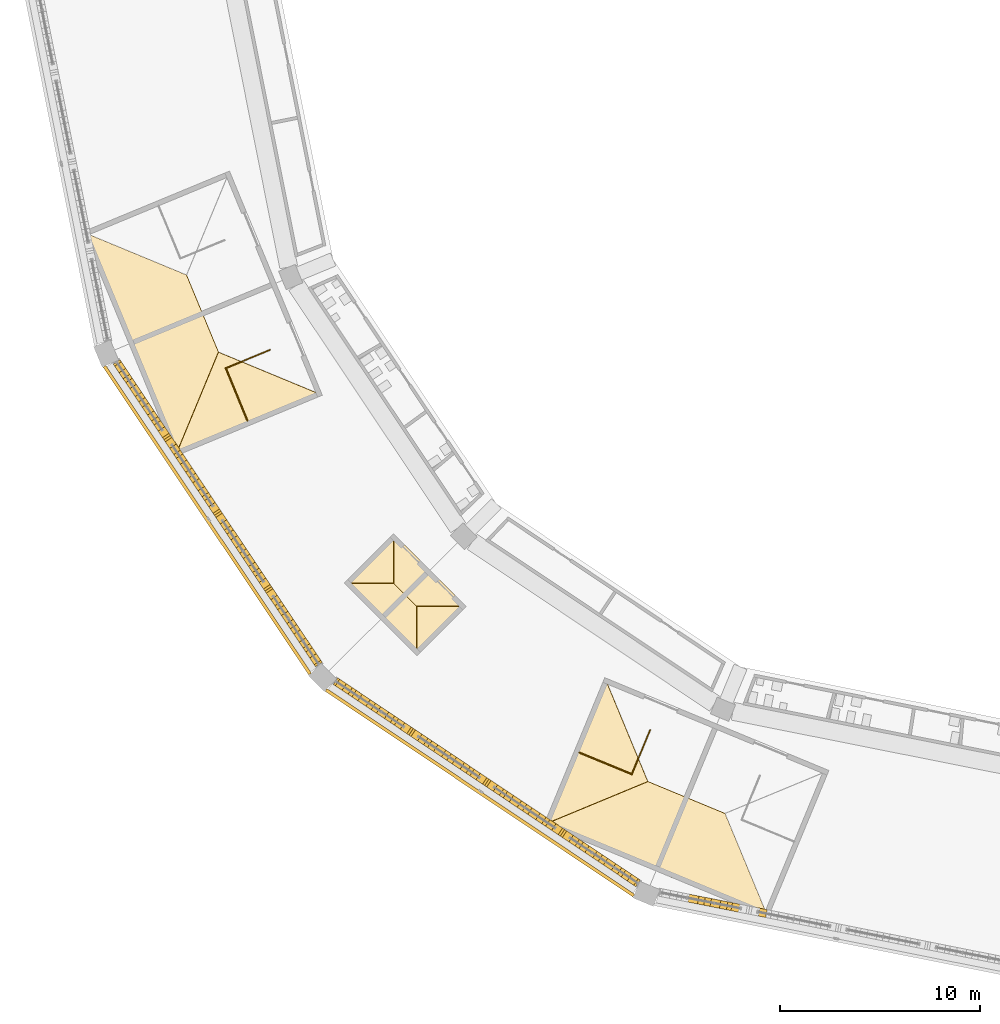
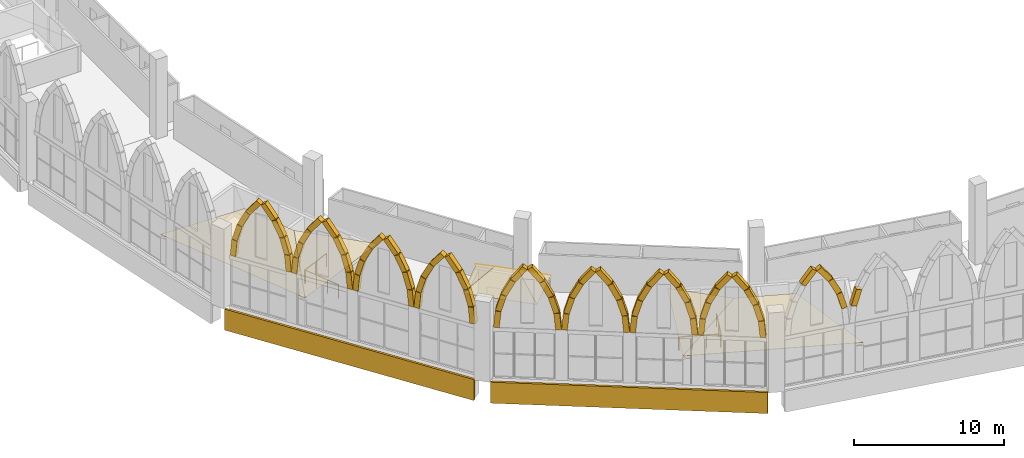
# One storey, part 105 of 130: 79 coverings, 4 railings.
"""IFC4 building model written with IfcOpenShell, lengths in metres."""

import ifcopenshell
import ifcopenshell.guid

model = None  # the IFC model being written
_history = None  # IfcOwnerHistory: only IFC2X3 demands one
_inside = {}  # id of a spatial element -> (the spatial element, [elements in it])
_under = {}  # id of a project, library or spatial element -> (it, [spatial elements below it])
_declared = {}  # id of a project -> (the project, [libraries it declares])
_typed = {}  # id of a type object -> (the type object, [elements of that type])
_made_of = {}  # id of a material, layer set ... -> (it, [elements and type objects made of it])


def new_model(schema):
    """Start an empty IFC model of exactly this schema.

    Asked for "IFC4X3", IfcOpenShell would pick the latest addendum, in which some entities
    have other attributes; the version numbers below select the first issue.
    IFC2X3 requires an IfcOwnerHistory on every rooted entity: one is made here for all.
    """
    global model, _history
    if schema == "IFC4X3":
        model = ifcopenshell.file(schema_version=(4, 3, 0, 0))
    else:
        model = ifcopenshell.file(schema=schema)
    _inside.clear()
    _under.clear()
    _declared.clear()
    _typed.clear()
    _made_of.clear()
    _history = None
    if model.schema == "IFC2X3":
        org = make("IfcOrganization", Name="unknown")
        user = make(
            "IfcPersonAndOrganization",
            ThePerson=make("IfcPerson", FamilyName="unknown"),
            TheOrganization=org,
        )
        app = make(
            "IfcApplication",
            ApplicationDeveloper=org,
            Version="unknown",
            ApplicationFullName="unknown",
            ApplicationIdentifier="unknown",
        )
        _history = make(
            "IfcOwnerHistory",
            OwningUser=user,
            OwningApplication=app,
            ChangeAction="ADDED",
            CreationDate=0,
        )
    return model


def make(cls, **values):
    """One entity of the class cls with the attributes given. An attribute that is None is left unset."""
    return model.create_entity(
        cls, **{name: value for name, value in values.items() if value is not None}
    )


def rooted(cls, **values):
    """An entity with a GlobalId (a new one), such as an element, a storey or a relation."""
    return make(cls, GlobalId=ifcopenshell.guid.new(), OwnerHistory=_history, **values)


def si_unit(unit_type, name, prefix=None):
    """IfcSIUnit, for example si_unit("LENGTHUNIT", "METRE", prefix="MILLI")."""
    return make("IfcSIUnit", UnitType=unit_type, Prefix=prefix, Name=name)


def assignment(units):
    """IfcUnitAssignment: the units of a project."""
    return None if units is None else make("IfcUnitAssignment", Units=units)


def point(xyz):
    """IfcCartesianPoint."""
    return None if xyz is None else make("IfcCartesianPoint", Coordinates=xyz)


def direction(xyz):
    """IfcDirection."""
    return None if xyz is None else make("IfcDirection", DirectionRatios=xyz)


def frame(location, z_axis=None, x_axis=None):
    """IfcAxis2Placement3D, a coordinate frame: its origin and axes. An axis left out is left unset."""
    return make(
        "IfcAxis2Placement3D",
        Location=point(location),
        Axis=direction(z_axis),
        RefDirection=direction(x_axis),
    )


def frame_2d(location, x_axis=None):
    """IfcAxis2Placement2D, a coordinate frame in the plane: its origin and x axis."""
    return make(
        "IfcAxis2Placement2D", Location=point(location), RefDirection=direction(x_axis)
    )


def origin():
    """The frame at (0, 0, 0) with its axes left unset."""
    return frame((0.0, 0.0, 0.0))


def origin_2d():
    """The frame at (0, 0) in the plane with its x axis left unset."""
    return frame_2d((0.0, 0.0))


def place(relative_to, where):
    """IfcLocalPlacement: puts the frame where relative to a parent placement (None: the world)."""
    return make(
        "IfcLocalPlacement", PlacementRelTo=relative_to, RelativePlacement=where
    )


def context(
    kind, dimensions, precision=None, world=None, true_north=None, identifier=None
):
    """IfcGeometricRepresentationContext, for example the 3D "Model" context."""
    return make(
        "IfcGeometricRepresentationContext",
        ContextIdentifier=identifier,
        ContextType=kind,
        CoordinateSpaceDimension=dimensions,
        Precision=precision,
        WorldCoordinateSystem=world,
        TrueNorth=true_north,
    )


def subcontext(parent, identifier, kind, view, scale=None):
    """IfcGeometricRepresentationSubContext, for example "Body" below "Model"."""
    return make(
        "IfcGeometricRepresentationSubContext",
        ContextIdentifier=identifier,
        ContextType=kind,
        ParentContext=parent,
        TargetScale=scale,
        TargetView=view,
    )


def project(units=None, contexts=None):
    """IfcProject with its units and contexts."""
    return rooted(
        "IfcProject",
        Name="project",
        RepresentationContexts=contexts,
        UnitsInContext=assignment(units),
    )


def spatial(cls, under=None, at=None, **own):
    """A site, building, storey or space (cls), placed at a placement, below another one or the project."""
    s = rooted(cls, ObjectPlacement=at, **own)
    if under is not None:
        _under.setdefault(under.id(), (under, []))[1].append(s)
    return s


def polyline(points):
    """IfcPolyline through the points."""
    return make("IfcPolyline", Points=[point(p) for p in points])


def profile(cls, at=None, kind="AREA", **sizes):
    """A parametric profile (cls). Its sizes go by their IFC names, for example OverallWidth=200.0."""
    return make(cls, ProfileType=kind, Position=at, **sizes)


def rectangle(**sizes):
    """IfcRectangleProfileDef."""
    return profile("IfcRectangleProfileDef", **sizes)


def circle(**sizes):
    """IfcCircleProfileDef."""
    return profile("IfcCircleProfileDef", **sizes)


def outline(outer, holes=None, kind="AREA"):
    """IfcArbitraryClosedProfileDef: a profile drawn as a closed curve; with holes, ...WithVoids."""
    if holes is None:
        return make("IfcArbitraryClosedProfileDef", ProfileType=kind, OuterCurve=outer)
    return make(
        "IfcArbitraryProfileDefWithVoids",
        ProfileType=kind,
        OuterCurve=outer,
        InnerCurves=holes,
    )


def extrude(swept, where, along, depth):
    """IfcExtrudedAreaSolid: the profile swept, set in the frame where, extruded along a direction by depth."""
    return make(
        "IfcExtrudedAreaSolid",
        SweptArea=swept,
        Position=where,
        ExtrudedDirection=direction(along),
        Depth=depth,
    )


def shape(context_of_items, identifier, shape_type, items):
    """IfcShapeRepresentation: the items that make up one representation, for example the "Body"."""
    return make(
        "IfcShapeRepresentation",
        ContextOfItems=context_of_items,
        RepresentationIdentifier=identifier,
        RepresentationType=shape_type,
        Items=items,
    )


def material(Name=None, Category=None):
    """IfcMaterial."""
    return make("IfcMaterial", Name=Name, Category=Category)


def layer(
    of_material, thickness, ventilated=None, Name=None, Category=None, Priority=None
):
    """IfcMaterialLayer: one layer of a wall or slab, of a material (None: an air gap)."""
    return make(
        "IfcMaterialLayer",
        Material=of_material,
        LayerThickness=thickness,
        IsVentilated=ventilated,
        Name=Name,
        Category=Category,
        Priority=Priority,
    )


def layer_set(layers, Name=None):
    """IfcMaterialLayerSet."""
    return make("IfcMaterialLayerSet", MaterialLayers=layers, LayerSetName=Name)


def material_profile(
    of_material, cross_section, Name=None, Category=None, Priority=None
):
    """IfcMaterialProfile: a cross section and its material."""
    return make(
        "IfcMaterialProfile",
        Name=Name,
        Material=of_material,
        Profile=cross_section,
        Priority=Priority,
        Category=Category,
    )


def profile_set(profiles, Name=None, composite=None):
    """IfcMaterialProfileSet."""
    return make(
        "IfcMaterialProfileSet",
        Name=Name,
        MaterialProfiles=profiles,
        CompositeProfile=composite,
    )


def made_of(thing, what):
    """Note that an element or type object is made of a material, layer set ...; save() writes the relation."""
    if what is not None:
        _made_of.setdefault(what.id(), (what, []))[1].append(thing)
    return thing


def type_object(cls, material=None, **own):
    """A type object (cls), such as IfcWallType, which elements share."""
    return made_of(rooted(cls, **own), material)


def element(
    cls,
    number,
    at=None,
    inside=None,
    cuts=None,
    type_object=None,
    material=None,
    context=None,
    identifier="Body",
    shape_type=None,
    held_by="IfcProductDefinitionShape",
    body=None,
    shapes=None,
    **own,
):
    """One element of the class cls, such as IfcWall. Its Tag is "e" and its number.

    at: its placement. inside: the storey or other place that contains it. cuts: it is an
    opening in that element (IfcRelVoidsElement). A single representation is given by context,
    identifier, shape_type and body (its items); several are given by shapes. held_by: the class
    of the entity that holds the representations. save() writes the other relations.
    """
    e = rooted(cls, Tag="e%d" % number, ObjectPlacement=at, **own)
    if body is not None:
        shapes = [shape(context, identifier, shape_type, body)]
    if shapes is not None:
        e.Representation = make(held_by, Representations=shapes)
    if inside is not None:
        _inside.setdefault(inside.id(), (inside, []))[1].append(e)
    if cuts is not None:
        rooted(
            "IfcRelVoidsElement", RelatingBuildingElement=cuts, RelatedOpeningElement=e
        )
    if type_object is not None:
        _typed.setdefault(type_object.id(), (type_object, []))[1].append(e)
    return made_of(e, material)


def aggregate(whole, parts):
    """IfcRelAggregates: a whole, such as a stair, and the parts it consists of."""
    return rooted("IfcRelAggregates", RelatingObject=whole, RelatedObjects=parts)


def save(model, path):
    """Write the relations noted so far, then the file.

    IfcRelAggregates (storeys below a building ...), IfcRelContainedInSpatialStructure (elements
    in a storey), IfcRelDefinesByType, IfcRelAssociatesMaterial and IfcRelDeclares: one each for
    every whole, place, type object, material and project.
    """
    for whole, parts in _under.values():
        aggregate(whole, parts)
    for where, things in _inside.values():
        rooted(
            "IfcRelContainedInSpatialStructure",
            RelatedElements=things,
            RelatingStructure=where,
        )
    for kind, things in _typed.values():
        rooted("IfcRelDefinesByType", RelatedObjects=things, RelatingType=kind)
    for what, things in _made_of.values():
        rooted("IfcRelAssociatesMaterial", RelatedObjects=things, RelatingMaterial=what)
    for by, libraries in _declared.values():
        rooted("IfcRelDeclares", RelatingContext=by, RelatedDefinitions=libraries)
    model.write(path)


model = new_model("IFC4")

# Units and contexts
model_context = context("Model", 3, precision=1e-05, world=origin(), true_north=direction((0.0, 1.0)))
body_context = subcontext(model_context, "Body", "Model", "MODEL_VIEW")
ifc_project = project(units=[si_unit("LENGTHUNIT", "METRE"), si_unit("AREAUNIT", "SQUARE_METRE"), si_unit("VOLUMEUNIT", "CUBIC_METRE"), si_unit("PLANEANGLEUNIT", "RADIAN"), si_unit("MASSUNIT", "GRAM", prefix="KILO")], contexts=[model_context])

# Site, building, storey
site_placement = place(None, origin())
site = spatial("IfcSite", under=ifc_project, at=site_placement, CompositionType="ELEMENT")
building_placement = place(site_placement, origin())
building = spatial("IfcBuilding", under=site, at=building_placement, Name="Ogive Plaza Stadium", CompositionType="ELEMENT")
storey_placement = place(building_placement, frame((0.0, 0.0, 22.5)))
storey = spatial("IfcBuildingStorey", under=building, at=storey_placement, Name="L05", CompositionType="ELEMENT", Elevation=22.5)

# Railings
ifc_material_1 = material(Name="Steel ASTM A572 Grade 50", Category="steel")
railing_type = type_object("IfcRailingType", Name="Guard 1100", PredefinedType="GUARDRAIL", material=ifc_material_1)
railing_1_placement = place(storey_placement, frame((-52.955078125, -90.48779296875, 0.0)))
element("IfcRailing", 1, at=railing_1_placement, inside=storey, type_object=railing_type, Name="Stair well guard ST18A L05", PredefinedType="GUARDRAIL", context=body_context, shape_type="SweptSolid", body=[
    extrude(circle(Radius=0.02392578125, at=origin_2d()), frame((0.0, 0.0, 1.076171875), z_axis=(-0.382693194178, -0.923875488976, 0.0), x_axis=(0.923875488976, -0.382693194178, 0.0)), (0.0, 0.0, 1.0), 2.39990234375),
    extrude(circle(Radius=0.02099609375, at=origin_2d()), origin(), (0.0, 0.0, 1.0), 1.052001953125),
    extrude(circle(Radius=0.02099609375, at=origin_2d()), frame((-0.459228515625, -1.108642578125, 0.0)), (0.0, 0.0, 1.0), 1.052001953125),
    extrude(circle(Radius=0.02099609375, at=origin_2d()), frame((-0.91845703125, -2.21728515625, 0.0)), (0.0, 0.0, 1.0), 1.052001953125),
])
railing_2_placement = place(storey_placement, frame((-56.506591796875, -91.614501953125, 0.0)))
element("IfcRailing", 2, at=railing_2_placement, inside=storey, type_object=railing_type, Name="Stair guard ST18A L05", PredefinedType="GUARDRAIL", context=body_context, shape_type="SweptSolid", body=[
    extrude(circle(Radius=0.02392578125, at=origin_2d()), frame((0.0, 0.0, 1.076171875), z_axis=(0.92386697504, -0.382713747376, 0.0), x_axis=(0.382713747376, 0.92386697504, 0.0)), (0.0, 0.0, 1.0), 2.7998046875),
    extrude(circle(Radius=0.02099609375, at=origin_2d()), origin(), (0.0, 0.0, 1.0), 1.052001953125),
    extrude(circle(Radius=0.02099609375, at=origin_2d()), frame((0.8623046875, -0.357177734375, 0.0)), (0.0, 0.0, 1.0), 1.052001953125),
    extrude(circle(Radius=0.02099609375, at=origin_2d()), frame((1.724365234375, -0.71435546875, 0.0)), (0.0, 0.0, 1.0), 1.052001953125),
    extrude(circle(Radius=0.02099609375, at=origin_2d()), frame((2.586669921875, -1.071533203125, 0.0)), (0.0, 0.0, 1.0), 1.052001953125),
])
railing_3_placement = place(storey_placement, frame((-71.98779296875, -71.455078125, 0.0)))
element("IfcRailing", 3, at=railing_3_placement, inside=storey, type_object=railing_type, Name="Stair well guard ST20B L05", PredefinedType="GUARDRAIL", context=body_context, shape_type="SweptSolid", body=[
    extrude(circle(Radius=0.02392578125, at=origin_2d()), frame((0.0, 0.0, 1.076171875), z_axis=(-0.923875488976, -0.382693194178, 0.0), x_axis=(0.382693194178, -0.923875488976, 0.0)), (0.0, 0.0, 1.0), 2.39990234375),
    extrude(circle(Radius=0.02099609375, at=origin_2d()), origin(), (0.0, 0.0, 1.0), 1.052001953125),
    extrude(circle(Radius=0.02099609375, at=origin_2d()), frame((-1.108642578125, -0.459228515625, 0.0)), (0.0, 0.0, 1.0), 1.052001953125),
    extrude(circle(Radius=0.02099609375, at=origin_2d()), frame((-2.21728515625, -0.91845703125, 0.0)), (0.0, 0.0, 1.0), 1.052001953125),
])
railing_4_placement = place(storey_placement, frame((-74.18603515625, -72.419921875, 0.0)))
element("IfcRailing", 4, at=railing_4_placement, inside=storey, type_object=railing_type, Name="Stair guard ST20B L05", PredefinedType="GUARDRAIL", context=body_context, shape_type="SweptSolid", body=[
    extrude(circle(Radius=0.02392578125, at=origin_2d()), frame((0.0, 0.0, 1.076171875), z_axis=(0.382713747376, -0.92386697504, 0.0), x_axis=(0.92386697504, 0.382713747376, 0.0)), (0.0, 0.0, 1.0), 2.7998046875),
    extrude(circle(Radius=0.02099609375, at=origin_2d()), origin(), (0.0, 0.0, 1.0), 1.052001953125),
    extrude(circle(Radius=0.02099609375, at=origin_2d()), frame((0.357177734375, -0.8623046875, 0.0)), (0.0, 0.0, 1.0), 1.052001953125),
    extrude(circle(Radius=0.02099609375, at=origin_2d()), frame((0.71435546875, -1.724365234375, 0.0)), (0.0, 0.0, 1.0), 1.052001953125),
    extrude(circle(Radius=0.02099609375, at=origin_2d()), frame((1.071533203125, -2.586669921875, 0.0)), (0.0, 0.0, 1.0), 1.052001953125),
])

# Coverings
ifc_material_2 = material(Name="Zinc sheet", Category="metal")
ifc_layer_1 = layer(ifc_material_2, 0.030029296875)
ifc_layer_set_1 = layer_set([ifc_layer_1], Name="Overrun roof zinc 30")
covering_type_1 = type_object("IfcCoveringType", Name="Overrun roof zinc 30", PredefinedType="ROOFING", material=ifc_layer_set_1)
covering_1_placement = place(storey_placement, frame((-68.277099609375, -83.135498046875, 3.6240234375), z_axis=(-0.42167717057, -0.42167717057, 0.802730794003), x_axis=(0.707106781187, -0.707106781187, 0.0)))
element("IfcCovering", 5, at=covering_1_placement, inside=storey, type_object=covering_type_1, Name="Lift overrun roof facet LP19 1", PredefinedType="ROOFING", context=body_context, shape_type="SweptSolid", body=[
    extrude(outline(polyline([(0.0, 0.0), (5.150002318446554, 0.0), (3.4000166151047493, 2.1800405770099553), (1.749985703341805, 2.1800405770099553), (0.0, 0.0)])), origin(), (0.0, 0.0, -1.0), 0.030029296875),
])
covering_2_placement = place(storey_placement, frame((-64.635498046875, -86.777099609375, 3.6240234375), z_axis=(0.42167717057, -0.42167717057, 0.802730794003), x_axis=(0.707106781187, 0.707106781187, 0.0)))
element("IfcCovering", 6, at=covering_2_placement, inside=storey, type_object=covering_type_1, Name="Lift overrun roof facet LP19 2", PredefinedType="ROOFING", context=body_context, shape_type="SweptSolid", body=[
    extrude(outline(polyline([(0.0, 0.0), (3.49997140668361, 0.0), (1.749985703341805, 2.1800405770099553), (0.0, 0.0)])), origin(), (0.0, 0.0, -1.0), 0.030029296875),
])
covering_3_placement = place(storey_placement, frame((-62.16064453125, -84.30224609375, 3.6240234375), z_axis=(0.42167717057, 0.42167717057, 0.802730794003), x_axis=(-0.707106781187, 0.707106781187, 0.0)))
element("IfcCovering", 7, at=covering_3_placement, inside=storey, type_object=covering_type_1, Name="Lift overrun roof facet LP19 3", PredefinedType="ROOFING", context=body_context, shape_type="SweptSolid", body=[
    extrude(outline(polyline([(0.0, 0.0), (5.150002318446554, 0.0), (3.4000166151047493, 2.1800405770099553), (1.749985703341805, 2.1800405770099553), (0.0, 0.0)])), origin(), (0.0, 0.0, -1.0), 0.030029296875),
])
covering_4_placement = place(storey_placement, frame((-65.80224609375, -80.66064453125, 3.6240234375), z_axis=(-0.42167717057, 0.42167717057, 0.802730794003), x_axis=(-0.707106781187, -0.707106781187, 0.0)))
element("IfcCovering", 8, at=covering_4_placement, inside=storey, type_object=covering_type_1, Name="Lift overrun roof facet LP19 4", PredefinedType="ROOFING", context=body_context, shape_type="SweptSolid", body=[
    extrude(outline(polyline([(0.0, 0.0), (3.49997140668361, 0.0), (1.749985703341805, 2.1800405770099553), (0.0, 0.0)])), origin(), (0.0, 0.0, -1.0), 0.030029296875),
])
ifc_material_3 = material(Name="Cast stone (reconstituted limestone)", Category="masonry")
ifc_material_profile = material_profile(ifc_material_3, rectangle(XDim=0.39990234375, YDim=0.39990234375, at=origin_2d()), Name="Cast stone 400x400")
ifc_profile_set = profile_set([ifc_material_profile], Name="Cast stone (reconstituted limestone)")
covering_type_2 = type_object("IfcCoveringType", Name="Precast arch rib 400x400", PredefinedType="MOLDING", material=ifc_profile_set)
for number, where, z_axis, x_axis, name in (
    (9, (-47.31689453125, -99.647216796875, 6.732421875), (-0.270818389008, 0.0539412397, -0.961117965098), (-0.195341523902, -0.980735279798, 0.0), "ARCH RIB B17 3.7"),
    (10, (-48.32177734375, -99.447265625, 5.466552734375), (-0.270821092261, 0.053756411195, 0.961127558778), (-0.194695735094, -0.980863686113, 0.0), "ARCH RIB B17 4.2"),
    (11, (-48.691650390625, -99.373779296875, 6.76708984375), (-0.44096305246, 0.087673612364, 0.893232849855), (-0.195006038548, -0.980802041663, 0.0), "ARCH RIB B17 4.3"),
    (12, (-49.291748046875, -99.25439453125, 7.97509765625), (-0.595704385184, 0.118621906197, 0.794396078064), (-0.195294514862, -0.980744641823, 0.0), "ARCH RIB B17 4.4"),
    (13, (-50.38818359375, -99.036376953125, 9.021484375), (-0.595704385184, 0.118621906197, -0.794396078064), (-0.195294514862, -0.980744641823, 0.0), "ARCH RIB B17 4.5"),
):
    element("IfcCovering", number, at=place(storey_placement, frame(where, z_axis=z_axis, x_axis=x_axis)), inside=storey, type_object=covering_type_2, Name=name, PredefinedType="MOLDING", context=body_context, shape_type="SweptSolid", body=[
        extrude(rectangle(XDim=0.39990234375, YDim=0.39990234375, at=origin_2d()), origin(), (0.0, 0.0, 1.0), 1.317138671875),
    ])
covering_5_placement = place(storey_placement, frame((-53.722412109375, -98.060302734375, 4.11865234375), z_axis=(-0.0774868935, 0.051719720781, 0.995650968873), x_axis=(-0.555159300588, -0.831744041741, 0.0)))
element("IfcCovering", 14, at=covering_5_placement, inside=storey, type_object=covering_type_2, Name="ARCH RIB B18 1.1", PredefinedType="MOLDING", context=body_context, shape_type="SweptSolid", body=[
    extrude(rectangle(XDim=0.39990234375, YDim=0.39990234375, at=origin_2d()), origin(), (0.0, 0.0, 1.0), 1.31689453125),
])
for number, where, z_axis, x_axis, name in (
    (15, (-53.830322265625, -97.98828125, 5.466552734375), (-0.229492340681, 0.15330384955, 0.961161378376), (-0.555474964851, -0.831533260563, 0.0), "ARCH RIB B18 1.2"),
    (16, (-54.14404296875, -97.77880859375, 6.76708984375), (-0.37369155562, 0.249869155246, 0.893263693718), (-0.55584155334, -0.831288257815, 0.0), "ARCH RIB B18 1.3"),
    (17, (-54.65283203125, -97.438720703125, 7.97509765625), (-0.504943643404, 0.337370569381, 0.794489154049), (-0.555545202762, -0.831486336441, 0.0), "ARCH RIB B18 1.4"),
):
    element("IfcCovering", number, at=place(storey_placement, frame(where, z_axis=z_axis, x_axis=x_axis)), inside=storey, type_object=covering_type_2, Name=name, PredefinedType="MOLDING", context=body_context, shape_type="SweptSolid", body=[
        extrude(rectangle(XDim=0.39990234375, YDim=0.39990234375, at=origin_2d()), origin(), (0.0, 0.0, 1.0), 1.317138671875),
    ])
covering_6_placement = place(storey_placement, frame((-55.58203125, -96.81787109375, 9.021484375), z_axis=(-0.505050142893, 0.337503233104, -0.794365105482), x_axis=(-0.555615206869, -0.831439559977, 0.0)))
element("IfcCovering", 18, at=covering_6_placement, inside=storey, type_object=covering_type_2, Name="ARCH RIB B18 1.5", PredefinedType="MOLDING", context=body_context, shape_type="SweptSolid", body=[
    extrude(rectangle(XDim=0.39990234375, YDim=0.39990234375, at=origin_2d()), origin(), (0.0, 0.0, 1.0), 1.3173828125),
])
for number, where, z_axis, x_axis, name in (
    (19, (-56.263671875, -96.3623046875, 7.943603515625), (-0.373868324694, 0.249678053229, -0.893243161478), (-0.555366039124, -0.83160601404, 0.0), "ARCH RIB B18 1.6"),
    (20, (-56.767333984375, -96.02587890625, 6.732421875), (-0.229661409993, 0.15347832726, -0.961093148358), (-0.555628995846, -0.831430345233, 0.0), "ARCH RIB B18 1.7"),
):
    element("IfcCovering", number, at=place(storey_placement, frame(where, z_axis=z_axis, x_axis=x_axis)), inside=storey, type_object=covering_type_2, Name=name, PredefinedType="MOLDING", context=body_context, shape_type="SweptSolid", body=[
        extrude(rectangle(XDim=0.39990234375, YDim=0.39990234375, at=origin_2d()), origin(), (0.0, 0.0, 1.0), 1.317138671875),
    ])
for number, where, z_axis, x_axis, name in (
    (21, (-57.07568359375, -95.81982421875, 5.429931640625), (-0.077302627224, 0.051720462819, -0.995665253763), (-0.556079282794, -0.831129250627, 0.0), "ARCH RIB B18 1.8"),
    (22, (-57.511474609375, -95.528564453125, 4.11865234375), (-0.0774868935, 0.051719720781, 0.995650968873), (-0.555159300588, -0.831744041741, 0.0), "ARCH RIB B18 2.1"),
):
    element("IfcCovering", number, at=place(storey_placement, frame(where, z_axis=z_axis, x_axis=x_axis)), inside=storey, type_object=covering_type_2, Name=name, PredefinedType="MOLDING", context=body_context, shape_type="SweptSolid", body=[
        extrude(rectangle(XDim=0.39990234375, YDim=0.39990234375, at=origin_2d()), origin(), (0.0, 0.0, 1.0), 1.31689453125),
    ])
for number, where, z_axis, x_axis, name in (
    (23, (-57.619384765625, -95.45654296875, 5.466552734375), (-0.229485815196, 0.153484858629, 0.961134048297), (-0.555939132817, -0.831223002932, 0.0), "ARCH RIB B18 2.2"),
    (24, (-57.93310546875, -95.2470703125, 6.76708984375), (-0.37369155562, 0.249869155246, 0.893263693718), (-0.55584155334, -0.831288257815, 0.0), "ARCH RIB B18 2.3"),
    (25, (-58.44189453125, -94.906982421875, 7.97509765625), (-0.504912059598, 0.337534823983, 0.794439459412), (-0.555756185913, -0.83134533247, 0.0), "ARCH RIB B18 2.4"),
    (26, (-59.37109375, -94.285888671875, 9.021484375), (-0.505081729422, 0.337338989926, -0.794414786166), (-0.555404229448, -0.831580508376, 0.0), "ARCH RIB B18 2.5"),
    (27, (-60.052734375, -93.83056640625, 7.943603515625), (-0.373851016855, 0.249851844681, -0.89320180973), (-0.555651073864, -0.831415590492, 0.0), "ARCH RIB B18 2.6"),
    (28, (-60.556396484375, -93.493896484375, 6.732421875), (-0.229667939915, 0.153297325513, -0.961120474949), (-0.555164855646, -0.831740333912, 0.0), "ARCH RIB B18 2.7"),
):
    element("IfcCovering", number, at=place(storey_placement, frame(where, z_axis=z_axis, x_axis=x_axis)), inside=storey, type_object=covering_type_2, Name=name, PredefinedType="MOLDING", context=body_context, shape_type="SweptSolid", body=[
        extrude(rectangle(XDim=0.39990234375, YDim=0.39990234375, at=origin_2d()), origin(), (0.0, 0.0, 1.0), 1.317138671875),
    ])
for number, where, z_axis, x_axis, name in (
    (29, (-60.86474609375, -93.2880859375, 5.429931640625), (-0.077302627224, 0.051720462819, -0.995665253763), (-0.556079282794, -0.831129250627, 0.0), "ARCH RIB B18 2.8"),
    (30, (-61.300537109375, -92.996826171875, 4.11865234375), (-0.0774868935, 0.051719720781, 0.995650968873), (-0.555159300588, -0.831744041741, 0.0), "ARCH RIB B18 3.1"),
):
    element("IfcCovering", number, at=place(storey_placement, frame(where, z_axis=z_axis, x_axis=x_axis)), inside=storey, type_object=covering_type_2, Name=name, PredefinedType="MOLDING", context=body_context, shape_type="SweptSolid", body=[
        extrude(rectangle(XDim=0.39990234375, YDim=0.39990234375, at=origin_2d()), origin(), (0.0, 0.0, 1.0), 1.31689453125),
    ])
for number, where, z_axis, x_axis, name in (
    (31, (-61.408447265625, -92.9248046875, 5.466552734375), (-0.229485815196, 0.153484858629, 0.961134048297), (-0.555939132817, -0.831223002932, 0.0), "ARCH RIB B18 3.2"),
    (32, (-61.72216796875, -92.715087890625, 6.76708984375), (-0.373708858474, 0.249695353355, 0.893305054061), (-0.555556508152, -0.831478782802, 0.0), "ARCH RIB B18 3.3"),
    (33, (-62.23095703125, -92.375244140625, 7.97509765625), (-0.504912059598, 0.337534823983, 0.794439459412), (-0.555756185913, -0.83134533247, 0.0), "ARCH RIB B18 3.4"),
    (34, (-63.160400390625, -91.754150390625, 9.021484375), (-0.504943643404, 0.337370569381, -0.794489154049), (-0.555545202762, -0.831486336441, 0.0), "ARCH RIB B18 3.5"),
    (35, (-63.842041015625, -91.298828125, 7.943603515625), (-0.37369155562, 0.249869155246, -0.893263693718), (-0.55584155334, -0.831288257815, 0.0), "ARCH RIB B18 3.6"),
    (36, (-64.345458984375, -90.962158203125, 6.732421875), (-0.229667939915, 0.153297325513, -0.961120474949), (-0.555164855646, -0.831740333912, 0.0), "ARCH RIB B18 3.7"),
):
    element("IfcCovering", number, at=place(storey_placement, frame(where, z_axis=z_axis, x_axis=x_axis)), inside=storey, type_object=covering_type_2, Name=name, PredefinedType="MOLDING", context=body_context, shape_type="SweptSolid", body=[
        extrude(rectangle(XDim=0.39990234375, YDim=0.39990234375, at=origin_2d()), origin(), (0.0, 0.0, 1.0), 1.317138671875),
    ])
for number, where, z_axis, x_axis, name in (
    (37, (-64.65380859375, -90.75634765625, 5.429931640625), (-0.077302627224, 0.051720462819, -0.995665253763), (-0.556079282794, -0.831129250627, 0.0), "ARCH RIB B18 3.8"),
    (38, (-65.08984375, -90.465087890625, 4.11865234375), (-0.077301884741, 0.051905342272, 0.995655690517), (-0.557453791533, -0.830207968105, 0.0), "ARCH RIB B18 4.1"),
):
    element("IfcCovering", number, at=place(storey_placement, frame(where, z_axis=z_axis, x_axis=x_axis)), inside=storey, type_object=covering_type_2, Name=name, PredefinedType="MOLDING", context=body_context, shape_type="SweptSolid", body=[
        extrude(rectangle(XDim=0.39990234375, YDim=0.39990234375, at=origin_2d()), origin(), (0.0, 0.0, 1.0), 1.31689453125),
    ])
for number, where, z_axis, x_axis, name in (
    (39, (-65.197509765625, -90.39306640625, 5.466552734375), (-0.229485815196, 0.153484858629, 0.961134048297), (-0.555939132817, -0.831223002932, 0.0), "ARCH RIB B18 4.2"),
    (40, (-65.51123046875, -90.183349609375, 6.76708984375), (-0.373708858474, 0.249695353355, 0.893305054061), (-0.555556508152, -0.831478782802, 0.0), "ARCH RIB B18 4.3"),
    (41, (-66.02001953125, -89.843505859375, 7.97509765625), (-0.504912059598, 0.337534823983, 0.794439459412), (-0.555756185913, -0.83134533247, 0.0), "ARCH RIB B18 4.4"),
    (42, (-66.949462890625, -89.222412109375, 9.021484375), (-0.504912059598, 0.337534823983, -0.794439459412), (-0.555756185913, -0.83134533247, 0.0), "ARCH RIB B18 4.5"),
    (43, (-67.631103515625, -88.766845703125, 7.943603515625), (-0.373708858474, 0.249695353355, -0.893305054061), (-0.555556508152, -0.831478782802, 0.0), "ARCH RIB B18 4.6"),
    (44, (-68.134765625, -88.430419921875, 6.732421875), (-0.229485815196, 0.153484858629, -0.961134048297), (-0.555939132817, -0.831223002932, 0.0), "ARCH RIB B18 4.7"),
):
    element("IfcCovering", number, at=place(storey_placement, frame(where, z_axis=z_axis, x_axis=x_axis)), inside=storey, type_object=covering_type_2, Name=name, PredefinedType="MOLDING", context=body_context, shape_type="SweptSolid", body=[
        extrude(rectangle(XDim=0.39990234375, YDim=0.39990234375, at=origin_2d()), origin(), (0.0, 0.0, 1.0), 1.317138671875),
    ])
for number, where, z_axis, x_axis, name in (
    (45, (-68.44287109375, -88.224609375, 5.429931640625), (-0.077302627224, 0.051720462819, -0.995665253763), (-0.556079282794, -0.831129250627, 0.0), "ARCH RIB B18 4.8"),
    (46, (-69.656494140625, -87.044677734375, 4.11865234375), (-0.051720462819, 0.077302627224, 0.995665253763), (-0.831129250627, -0.556079282794, 0.0), "ARCH RIB B19 1.1"),
):
    element("IfcCovering", number, at=place(storey_placement, frame(where, z_axis=z_axis, x_axis=x_axis)), inside=storey, type_object=covering_type_2, Name=name, PredefinedType="MOLDING", context=body_context, shape_type="SweptSolid", body=[
        extrude(rectangle(XDim=0.39990234375, YDim=0.39990234375, at=origin_2d()), origin(), (0.0, 0.0, 1.0), 1.31689453125),
    ])
for number, where, z_axis, x_axis, name in (
    (47, (-69.728271484375, -86.93701171875, 5.466552734375), (-0.153484858629, 0.229485815196, 0.961134048297), (-0.831223002932, -0.555939132817, 0.0), "ARCH RIB B19 1.2"),
    (48, (-69.93798828125, -86.623291015625, 6.76708984375), (-0.249695353355, 0.373708858474, 0.893305054061), (-0.831478782802, -0.555556508152, 0.0), "ARCH RIB B19 1.3"),
    (49, (-70.27783203125, -86.114501953125, 7.97509765625), (-0.337534823983, 0.504912059598, 0.794439459412), (-0.83134533247, -0.555756185913, 0.0), "ARCH RIB B19 1.4"),
    (50, (-70.89892578125, -85.18505859375, 9.021484375), (-0.337534823983, 0.504912059598, -0.794439459412), (-0.83134533247, -0.555756185913, 0.0), "ARCH RIB B19 1.5"),
    (51, (-71.3544921875, -84.50341796875, 7.943603515625), (-0.249695353355, 0.373708858474, -0.893305054061), (-0.831478782802, -0.555556508152, 0.0), "ARCH RIB B19 1.6"),
    (52, (-71.69091796875, -83.999755859375, 6.732421875), (-0.153484858629, 0.229485815196, -0.961134048297), (-0.831223002932, -0.555939132817, 0.0), "ARCH RIB B19 1.7"),
):
    element("IfcCovering", number, at=place(storey_placement, frame(where, z_axis=z_axis, x_axis=x_axis)), inside=storey, type_object=covering_type_2, Name=name, PredefinedType="MOLDING", context=body_context, shape_type="SweptSolid", body=[
        extrude(rectangle(XDim=0.39990234375, YDim=0.39990234375, at=origin_2d()), origin(), (0.0, 0.0, 1.0), 1.317138671875),
    ])
for number, where, z_axis, x_axis, name in (
    (53, (-71.896728515625, -83.691650390625, 5.429931640625), (-0.051905342272, 0.077301884741, -0.995655690517), (-0.830207968105, -0.557453791533, 0.0), "ARCH RIB B19 1.8"),
    (54, (-72.188232421875, -83.255615234375, 4.11865234375), (-0.051720462819, 0.077302627224, 0.995665253763), (-0.831129250627, -0.556079282794, 0.0), "ARCH RIB B19 2.1"),
):
    element("IfcCovering", number, at=place(storey_placement, frame(where, z_axis=z_axis, x_axis=x_axis)), inside=storey, type_object=covering_type_2, Name=name, PredefinedType="MOLDING", context=body_context, shape_type="SweptSolid", body=[
        extrude(rectangle(XDim=0.39990234375, YDim=0.39990234375, at=origin_2d()), origin(), (0.0, 0.0, 1.0), 1.31689453125),
    ])
for number, where, z_axis, x_axis, name in (
    (55, (-72.26025390625, -83.14794921875, 5.466552734375), (-0.153297325513, 0.229667939915, 0.961120474949), (-0.831740333912, -0.555164855646, 0.0), "ARCH RIB B19 2.2"),
    (56, (-72.4697265625, -82.834228515625, 6.76708984375), (-0.249869155246, 0.37369155562, 0.893263693718), (-0.831288257815, -0.55584155334, 0.0), "ARCH RIB B19 2.3"),
    (57, (-72.809814453125, -82.325439453125, 7.97509765625), (-0.337370569381, 0.504943643404, 0.794489154049), (-0.831486336441, -0.555545202762, 0.0), "ARCH RIB B19 2.4"),
    (58, (-73.4306640625, -81.39599609375, 9.021484375), (-0.337534823983, 0.504912059598, -0.794439459412), (-0.83134533247, -0.555756185913, 0.0), "ARCH RIB B19 2.5"),
    (59, (-73.88623046875, -80.71435546875, 7.943603515625), (-0.249695353355, 0.373708858474, -0.893305054061), (-0.831478782802, -0.555556508152, 0.0), "ARCH RIB B19 2.6"),
    (60, (-74.22265625, -80.210693359375, 6.732421875), (-0.153484858629, 0.229485815196, -0.961134048297), (-0.831223002932, -0.555939132817, 0.0), "ARCH RIB B19 2.7"),
):
    element("IfcCovering", number, at=place(storey_placement, frame(where, z_axis=z_axis, x_axis=x_axis)), inside=storey, type_object=covering_type_2, Name=name, PredefinedType="MOLDING", context=body_context, shape_type="SweptSolid", body=[
        extrude(rectangle(XDim=0.39990234375, YDim=0.39990234375, at=origin_2d()), origin(), (0.0, 0.0, 1.0), 1.317138671875),
    ])
for number, where, z_axis, x_axis, name in (
    (61, (-74.4287109375, -79.902587890625, 5.429931640625), (-0.051719720781, 0.0774868935, -0.995650968873), (-0.831744041741, -0.555159300588, 0.0), "ARCH RIB B19 2.8"),
    (62, (-74.719970703125, -79.466552734375, 4.11865234375), (-0.051720462819, 0.077302627224, 0.995665253763), (-0.831129250627, -0.556079282794, 0.0), "ARCH RIB B19 3.1"),
):
    element("IfcCovering", number, at=place(storey_placement, frame(where, z_axis=z_axis, x_axis=x_axis)), inside=storey, type_object=covering_type_2, Name=name, PredefinedType="MOLDING", context=body_context, shape_type="SweptSolid", body=[
        extrude(rectangle(XDim=0.39990234375, YDim=0.39990234375, at=origin_2d()), origin(), (0.0, 0.0, 1.0), 1.31689453125),
    ])
for number, where, z_axis, x_axis, name in (
    (63, (-74.7919921875, -79.35888671875, 5.466552734375), (-0.153297325513, 0.229667939915, 0.961120474949), (-0.831740333912, -0.555164855646, 0.0), "ARCH RIB B19 3.2"),
    (64, (-75.00146484375, -79.045166015625, 6.76708984375), (-0.249851844681, 0.373851016855, 0.89320180973), (-0.831415590492, -0.555651073864, 0.0), "ARCH RIB B19 3.3"),
    (65, (-75.341552734375, -78.536376953125, 7.97509765625), (-0.337338989926, 0.505081729422, 0.794414786166), (-0.831580508376, -0.555404229448, 0.0), "ARCH RIB B19 3.4"),
    (66, (-75.96240234375, -77.60693359375, 9.021484375), (-0.337534823983, 0.504912059598, -0.794439459412), (-0.83134533247, -0.555756185913, 0.0), "ARCH RIB B19 3.5"),
    (67, (-76.41796875, -76.92529296875, 7.943603515625), (-0.249869155246, 0.37369155562, -0.893263693718), (-0.831288257815, -0.55584155334, 0.0), "ARCH RIB B19 3.6"),
    (68, (-76.75439453125, -76.421630859375, 6.732421875), (-0.153484858629, 0.229485815196, -0.961134048297), (-0.831223002932, -0.555939132817, 0.0), "ARCH RIB B19 3.7"),
):
    element("IfcCovering", number, at=place(storey_placement, frame(where, z_axis=z_axis, x_axis=x_axis)), inside=storey, type_object=covering_type_2, Name=name, PredefinedType="MOLDING", context=body_context, shape_type="SweptSolid", body=[
        extrude(rectangle(XDim=0.39990234375, YDim=0.39990234375, at=origin_2d()), origin(), (0.0, 0.0, 1.0), 1.317138671875),
    ])
for number, where, z_axis, x_axis, name in (
    (69, (-76.96044921875, -76.113525390625, 5.429931640625), (-0.051719720781, 0.0774868935, -0.995650968873), (-0.831744041741, -0.555159300588, 0.0), "ARCH RIB B19 3.8"),
    (70, (-77.251708984375, -75.677490234375, 4.11865234375), (-0.051720462819, 0.077302627224, 0.995665253763), (-0.831129250627, -0.556079282794, 0.0), "ARCH RIB B19 4.1"),
):
    element("IfcCovering", number, at=place(storey_placement, frame(where, z_axis=z_axis, x_axis=x_axis)), inside=storey, type_object=covering_type_2, Name=name, PredefinedType="MOLDING", context=body_context, shape_type="SweptSolid", body=[
        extrude(rectangle(XDim=0.39990234375, YDim=0.39990234375, at=origin_2d()), origin(), (0.0, 0.0, 1.0), 1.31689453125),
    ])
for number, where, z_axis, x_axis, name in (
    (71, (-77.32373046875, -75.56982421875, 5.466552734375), (-0.15347832726, 0.229661409993, 0.961093148358), (-0.831430345233, -0.555628995846, 0.0), "ARCH RIB B19 4.2"),
    (72, (-77.533447265625, -75.256103515625, 6.76708984375), (-0.249678053229, 0.373868324694, 0.893243161478), (-0.83160601404, -0.555366039124, 0.0), "ARCH RIB B19 4.3"),
):
    element("IfcCovering", number, at=place(storey_placement, frame(where, z_axis=z_axis, x_axis=x_axis)), inside=storey, type_object=covering_type_2, Name=name, PredefinedType="MOLDING", context=body_context, shape_type="SweptSolid", body=[
        extrude(rectangle(XDim=0.39990234375, YDim=0.39990234375, at=origin_2d()), origin(), (0.0, 0.0, 1.0), 1.317138671875),
    ])
covering_7_placement = place(storey_placement, frame((-77.873291015625, -74.747314453125, 7.97509765625), z_axis=(-0.337503233104, 0.505050142893, 0.794365105482), x_axis=(-0.831439559977, -0.555615206869, 0.0)))
element("IfcCovering", 73, at=covering_7_placement, inside=storey, type_object=covering_type_2, Name="ARCH RIB B19 4.4", PredefinedType="MOLDING", context=body_context, shape_type="SweptSolid", body=[
    extrude(rectangle(XDim=0.39990234375, YDim=0.39990234375, at=origin_2d()), origin(), (0.0, 0.0, 1.0), 1.3173828125),
])
for number, where, z_axis, x_axis, name in (
    (74, (-78.494384765625, -73.81787109375, 9.021484375), (-0.337370569381, 0.504943643404, -0.794489154049), (-0.831486336441, -0.555545202762, 0.0), "ARCH RIB B19 4.5"),
    (75, (-78.94970703125, -73.13623046875, 7.943603515625), (-0.249869155246, 0.37369155562, -0.893263693718), (-0.831288257815, -0.55584155334, 0.0), "ARCH RIB B19 4.6"),
    (76, (-79.286376953125, -72.632568359375, 6.732421875), (-0.15330384955, 0.229492340681, -0.961161378376), (-0.831533260563, -0.555474964851, 0.0), "ARCH RIB B19 4.7"),
):
    element("IfcCovering", number, at=place(storey_placement, frame(where, z_axis=z_axis, x_axis=x_axis)), inside=storey, type_object=covering_type_2, Name=name, PredefinedType="MOLDING", context=body_context, shape_type="SweptSolid", body=[
        extrude(rectangle(XDim=0.39990234375, YDim=0.39990234375, at=origin_2d()), origin(), (0.0, 0.0, 1.0), 1.317138671875),
    ])
covering_8_placement = place(storey_placement, frame((-79.4921875, -72.324462890625, 5.429931640625), z_axis=(-0.051719720781, 0.0774868935, -0.995650968873), x_axis=(-0.831744041741, -0.555159300588, 0.0)))
element("IfcCovering", 77, at=covering_8_placement, inside=storey, type_object=covering_type_2, Name="ARCH RIB B19 4.8", PredefinedType="MOLDING", context=body_context, shape_type="SweptSolid", body=[
    extrude(rectangle(XDim=0.39990234375, YDim=0.39990234375, at=origin_2d()), origin(), (0.0, 0.0, 1.0), 1.31689453125),
])
ifc_material_4 = material(Name="Cast stone (reconstituted limestone)", Category="masonry")
ifc_layer_2 = layer(ifc_material_4, 0.159912109375)
ifc_layer_set_2 = layer_set([ifc_layer_2], Name="Precast spandrel cladding 160")
covering_type_3 = type_object("IfcCoveringType", Name="Precast spandrel cladding 160", PredefinedType="CLADDING", material=ifc_layer_set_2)
covering_9_placement = place(storey_placement, frame((0.0, 0.0, -1.7099609375)))
element("IfcCovering", 78, at=covering_9_placement, inside=storey, type_object=covering_type_3, Name="SPANDREL CLADDING B18 L05", PredefinedType="CLADDING", context=body_context, shape_type="SweptSolid", body=[
    extrude(outline(polyline([(-53.737060546875, -98.712158203125), (-69.141357421875, -88.419189453125), (-69.230224609375, -88.55224609375), (-53.825927734375, -98.84521484375), (-53.737060546875, -98.712158203125)])), origin(), (0.0, 0.0, 1.0), 1.7099609375),
])
covering_10_placement = place(storey_placement, frame((0.0, 0.0, -1.7099609375)))
element("IfcCovering", 79, at=covering_10_placement, inside=storey, type_object=covering_type_3, Name="SPANDREL CLADDING B19 L05", PredefinedType="CLADDING", context=body_context, shape_type="SweptSolid", body=[
    extrude(outline(polyline([(-69.919189453125, -87.641357421875), (-80.212158203125, -72.237060546875), (-80.34521484375, -72.325927734375), (-70.05224609375, -87.730224609375), (-69.919189453125, -87.641357421875)])), origin(), (0.0, 0.0, 1.0), 1.7099609375),
])
ifc_material_5 = material(Name="Zinc standing seam", Category="metal")
ifc_layer_3 = layer(ifc_material_5, 0.0400390625)
ifc_layer_set_3 = layer_set([ifc_layer_3], Name="Turret roof zinc standing seam 40")
covering_type_4 = type_object("IfcCoveringType", Name="Turret roof zinc standing seam 40", PredefinedType="ROOFING", material=ifc_layer_set_3)
covering_11_placement = place(storey_placement, frame((-58.272216796875, -95.2236328125, 2.337158203125), z_axis=(-0.142726326629, -0.344578310198, 0.927844267013), x_axis=(0.923884235772, -0.382672077485, 2.269112e-06)))
element("IfcCovering", 80, at=covering_11_placement, inside=storey, type_object=covering_type_4, Name="Stair core roof facet R18 1", PredefinedType="ROOFING", context=body_context, shape_type="SweptSolid", body=[
    extrude(outline(polyline([(0.0, 0.0), (12.149891707996376, -4.440892098500626e-16), (8.170149413845985, 4.289471551499193), (3.9800862675267408, 4.2895709627228715), (0.0, 0.0)])), origin(), (0.0, 0.0, -1.0), 0.0400390625),
])
covering_12_placement = place(storey_placement, frame((-55.22607421875, -87.869384765625, 2.337158203125), z_axis=(-0.344573873955, 0.142723109429, 0.927846409392), x_axis=(-0.382674135226, -0.923883383458, 0.0)))
element("IfcCovering", 81, at=covering_12_placement, inside=storey, type_object=covering_type_4, Name="Stair core roof facet R18 4", PredefinedType="ROOFING", context=body_context, shape_type="SweptSolid", body=[
    extrude(outline(polyline([(0.0, 0.0), (7.960147545192286, 0.0), (3.9800737725961426, 4.289582556236138), (0.0, 0.0)])), origin(), (0.0, 0.0, -1.0), 0.0400390625),
])
covering_13_placement = place(storey_placement, frame((-81.373046875, -65.547119140625, 2.337158203125), z_axis=(-0.344578310198, -0.142726326629, 0.927844267013), x_axis=(0.382672077485, -0.923884235772, -2.269112e-06)))
element("IfcCovering", 82, at=covering_13_placement, inside=storey, type_object=covering_type_4, Name="Stair core roof facet R20 1", PredefinedType="ROOFING", context=body_context, shape_type="SweptSolid", body=[
    extrude(outline(polyline([(0.0, 0.0), (12.149891707996376, 4.440892098500626e-16), (8.169805440469636, 4.289570962722872), (3.979742294150392, 4.289471551499194), (0.0, 0.0)])), origin(), (0.0, 0.0, -1.0), 0.0400390625),
])
covering_14_placement = place(storey_placement, frame((-76.7236328125, -76.772216796875, 2.337158203125), z_axis=(0.142723109429, -0.344573873955, 0.927846409392), x_axis=(0.923883383458, 0.382674135226, 0.0)))
element("IfcCovering", 83, at=covering_14_placement, inside=storey, type_object=covering_type_4, Name="Stair core roof facet R20 2", PredefinedType="ROOFING", context=body_context, shape_type="SweptSolid", body=[
    extrude(outline(polyline([(0.0, 0.0), (7.960147545192286, 0.0), (3.9800737725961426, 4.289582556236138), (0.0, 0.0)])), origin(), (0.0, 0.0, -1.0), 0.0400390625),
])

save(model, "model.ifc")
